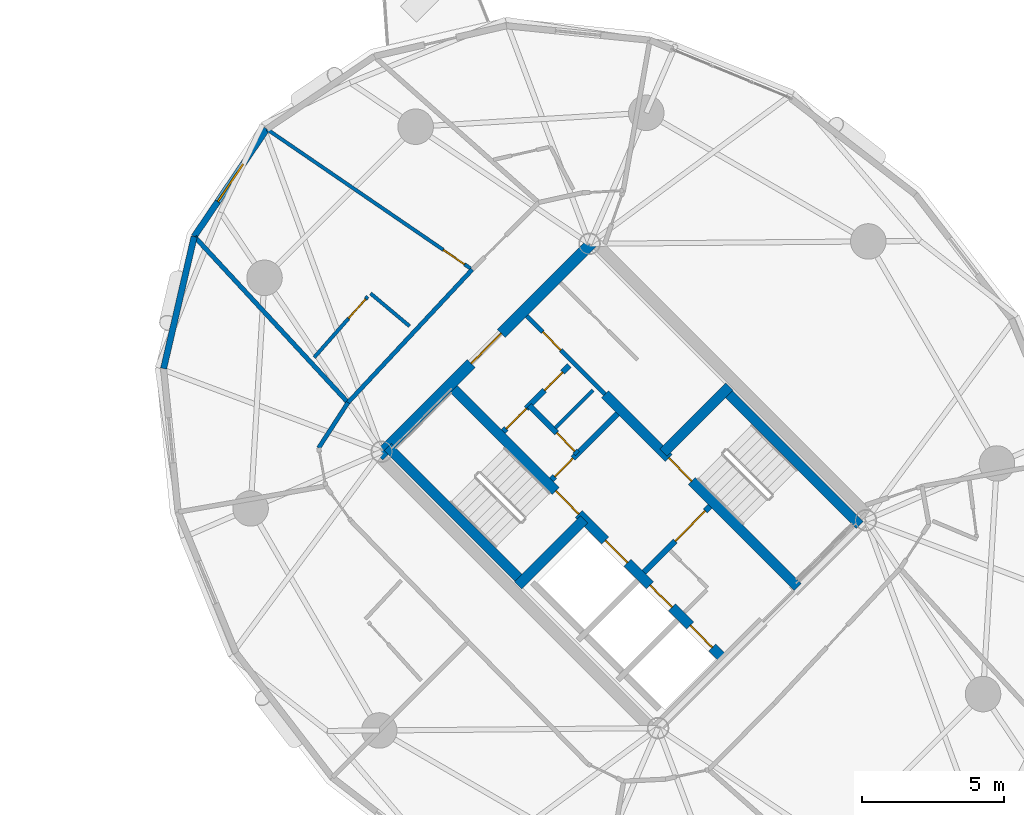
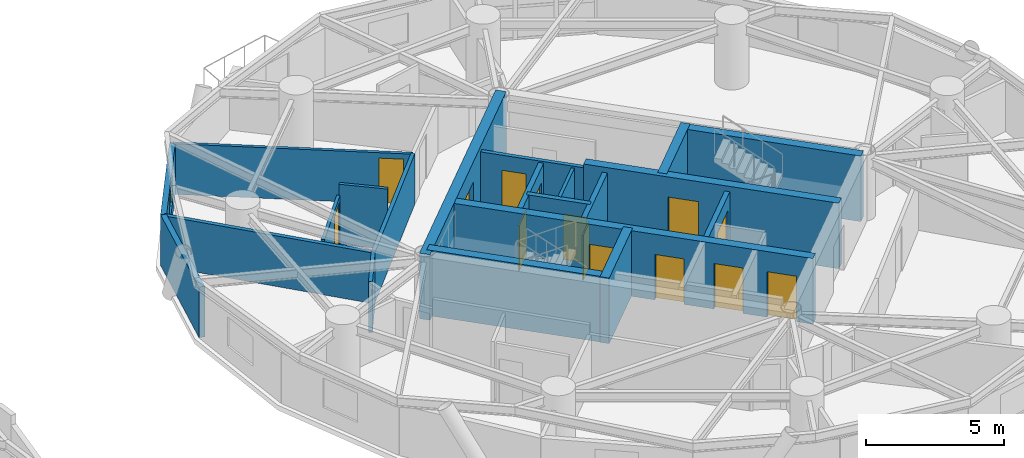
# One storey, part 12 of 17: 21 walls, 14 doors, 1 window, 15 openings.
"""IFC4 building model written with IfcOpenShell, lengths in metres."""

from ifc_helpers import new_model, si_unit, direction, frame, frame_2d, origin, place, context, subcontext, project, spatial, rectangle, extrude, source, transform, mapped, material, layer, layer_set, type_object, element, fill, save


model = new_model("IFC4")

# Units and contexts
model_context = context("Model", 3, precision=1e-05, world=origin(), true_north=direction((0.0, 1.0)))
body_context = subcontext(model_context, "Body", "Model", "MODEL_VIEW")
ifc_project = project(units=[si_unit("LENGTHUNIT", "METRE"), si_unit("AREAUNIT", "SQUARE_METRE"), si_unit("VOLUMEUNIT", "CUBIC_METRE"), si_unit("PLANEANGLEUNIT", "RADIAN"), si_unit("MASSUNIT", "GRAM", prefix="KILO")], contexts=[model_context])

# Site, building, storey
site_placement = place(None, origin())
site = spatial("IfcSite", under=ifc_project, at=site_placement, CompositionType="ELEMENT")
building_placement = place(site_placement, origin())
building = spatial("IfcBuilding", under=site, at=building_placement, Name="Cununo Teusaquillo Station Towers", CompositionType="ELEMENT")
storey_placement = place(building_placement, frame((0.0, 0.0, 154.510009765625)))
storey = spatial("IfcBuildingStorey", under=building, at=storey_placement, Name="L48", CompositionType="ELEMENT", Elevation=154.510009765625)

# Wall, openings, doors
ifc_material_1 = material(Name="Concrete C50/60", Category="concrete")
ifc_layer_1 = layer(ifc_material_1, 0.35009765625)
ifc_layer_set_1 = layer_set([ifc_layer_1], Name="Concrete C50/60")
wall_type_1 = type_object("IfcWallType", Name="WL-CORE-350", PredefinedType="SHEAR", material=ifc_layer_set_1)
wall_1_placement = place(storey_placement, frame((61.060302734375, 18.372802734375, 0.0), z_axis=(0.0, 0.0, 1.0), x_axis=(-0.707106781187, 0.707106781187, 0.0)))
wall_1 = element("IfcWall", 1, at=wall_1_placement, inside=storey, type_object=wall_type_1, Name="L48 Tower B Core Shear Wall IW", PredefinedType="SHEAR", context=body_context, shape_type="SweptSolid", body=[
    extrude(rectangle(XDim=13.7001953125, YDim=0.35009765625, at=frame_2d((6.85009765625, 0.0))), origin(), (0.0, 0.0, 1.0), 2.909912109375),
])
shared_shape_1 = source(origin(), body_context, "Body", "SweptSolid", [
    extrude(rectangle(XDim=1.10009765625, YDim=2.014892578125, at=frame_2d((0.550048828125, 1.00732421875))), frame((0.0, 0.18505859375, 0.0), z_axis=(0.0, -1.0, 0.0), x_axis=(1.0, 0.0, 0.0)), (0.0, 0.0, 1.0), 0.3701171875),
])
opening_1_placement = place(wall_1_placement, frame((4.85009765625, 0.0, 0.0)))
opening_1 = element("IfcOpeningElement", 2, at=opening_1_placement, cuts=wall_1, Name="Opening LD-01", PredefinedType="OPENING", context=body_context, shape_type="MappedRepresentation", body=[
    mapped(shared_shape_1, transform((0.0, 0.0, 0.0), x_axis=(1.0, 0.0, 0.0), y_axis=(0.0, 1.0, 0.0), z_axis=(0.0, 0.0, 1.0), scale=1.0)),
])
opening_2_placement = place(wall_1_placement, frame((0.625, 0.0, 0.0)))
opening_2 = element("IfcOpeningElement", 3, at=opening_2_placement, cuts=wall_1, Name="Opening LD-01", PredefinedType="OPENING", context=body_context, shape_type="MappedRepresentation", body=[
    mapped(shared_shape_1, transform((0.0, 0.0, 0.0), x_axis=(1.0, 0.0, 0.0), y_axis=(0.0, 1.0, 0.0), z_axis=(0.0, 0.0, 1.0), scale=1.0)),
])
opening_3_placement = place(wall_1_placement, frame((2.625, 0.0, 0.0)))
opening_3 = element("IfcOpeningElement", 4, at=opening_3_placement, cuts=wall_1, Name="Opening LD-01", PredefinedType="OPENING", context=body_context, shape_type="MappedRepresentation", body=[
    mapped(shared_shape_1, transform((0.0, 0.0, 0.0), x_axis=(1.0, 0.0, 0.0), y_axis=(0.0, 1.0, 0.0), z_axis=(0.0, 0.0, 1.0), scale=1.0)),
])
shared_shape_2 = source(origin(), body_context, "Body", "SweptSolid", [
    extrude(rectangle(XDim=1.14990234375, YDim=2.02001953125, at=frame_2d((0.574951171875, 1.010009765625))), frame((0.0, 0.18505859375, 0.0), z_axis=(0.0, -1.0, 0.0), x_axis=(1.0, 0.0, 0.0)), (0.0, 0.0, 1.0), 0.3701171875),
])
opening_4_placement = place(wall_1_placement, frame((7.27001953125, 0.0, 0.0)))
opening_4 = element("IfcOpeningElement", 5, at=opening_4_placement, cuts=wall_1, Name="Opening D-ST1", PredefinedType="OPENING", context=body_context, shape_type="MappedRepresentation", body=[
    mapped(shared_shape_2, transform((0.0, 0.0, 0.0), x_axis=(1.0, 0.0, 0.0), y_axis=(0.0, 1.0, 0.0), z_axis=(0.0, 0.0, 1.0), scale=1.0)),
])
ifc_material_2 = material(Name="Galvanised fire-rated hollow steel door assembly", Category="steel")
door_type_1 = type_object("IfcDoorType", Name="DR-LIFT-1100", OperationType="SLIDING_TO_LEFT", PredefinedType="DOOR", material=ifc_material_2)
shared_shape_3 = source(origin(), body_context, "Body", "SweptSolid", [
    extrude(rectangle(XDim=1.10009765625, YDim=2.014892578125, at=frame_2d((0.550048828125, 1.00732421875))), frame((0.0, 0.02490234375, 0.0), z_axis=(0.0, -1.0, 0.0), x_axis=(1.0, 0.0, 0.0)), (0.0, 0.0, 1.0), 0.050048828125),
])
door_1_placement = place(opening_1_placement, origin())
door_1 = element("IfcDoor", 6, at=door_1_placement, inside=storey, type_object=door_type_1, Name="L48 Lift FL-T2 Sliding Landing Door", OperationType="SLIDING_TO_RIGHT", OverallHeight=2.014892578125, OverallWidth=1.10009765625, PredefinedType="DOOR", context=body_context, shape_type="MappedRepresentation", body=[
    mapped(shared_shape_3, transform((0.0, 0.0, 0.0), x_axis=(1.0, 0.0, 0.0), y_axis=(0.0, 1.0, 0.0), z_axis=(0.0, 0.0, 1.0), scale=1.0)),
])
fill(opening_1, door_1)
door_2_placement = place(opening_2_placement, origin())
door_2 = element("IfcDoor", 7, at=door_2_placement, inside=storey, type_object=door_type_1, Name="L48 Lift PL-T2-H1 Sliding Landing Door", OperationType="SLIDING_TO_LEFT", OverallHeight=2.014892578125, OverallWidth=1.10009765625, PredefinedType="DOOR", context=body_context, shape_type="MappedRepresentation", body=[
    mapped(shared_shape_3, transform((0.0, 0.0, 0.0), x_axis=(1.0, 0.0, 0.0), y_axis=(0.0, 1.0, 0.0), z_axis=(0.0, 0.0, 1.0), scale=1.0)),
])
fill(opening_2, door_2)
door_3_placement = place(opening_3_placement, origin())
door_3 = element("IfcDoor", 8, at=door_3_placement, inside=storey, type_object=door_type_1, Name="L48 Lift PL-T2-H2 Sliding Landing Door", OperationType="SLIDING_TO_RIGHT", OverallHeight=2.014892578125, OverallWidth=1.10009765625, PredefinedType="DOOR", context=body_context, shape_type="MappedRepresentation", body=[
    mapped(shared_shape_3, transform((0.0, 0.0, 0.0), x_axis=(1.0, 0.0, 0.0), y_axis=(0.0, 1.0, 0.0), z_axis=(0.0, 0.0, 1.0), scale=1.0)),
])
fill(opening_3, door_3)
ifc_material_3 = material(Name="Galvanised fire-rated hollow steel door assembly", Category="steel")
door_type_2 = type_object("IfcDoorType", Name="DR-STAIR-1150", OperationType="NOTDEFINED", PredefinedType="DOOR", material=ifc_material_3)
shared_shape_4 = source(origin(), body_context, "Body", "SweptSolid", [
    extrude(rectangle(XDim=1.14990234375, YDim=2.02001953125, at=frame_2d((0.574951171875, 1.010009765625))), frame((0.0, 0.02490234375, 0.0), z_axis=(0.0, -1.0, 0.0), x_axis=(1.0, 0.0, 0.0)), (0.0, 0.0, 1.0), 0.050048828125),
])
door_4_placement = place(opening_4_placement, origin())
door_4 = element("IfcDoor", 9, at=door_4_placement, inside=storey, type_object=door_type_2, Name="L48 Tower B Exit Stair 1 Fire Door", OperationType="SINGLE_SWING_RIGHT", OverallHeight=2.02001953125, OverallWidth=1.14990234375, PredefinedType="DOOR", context=body_context, shape_type="MappedRepresentation", body=[
    mapped(shared_shape_4, transform((0.0, 0.0, 0.0), x_axis=(1.0, 0.0, 0.0), y_axis=(0.0, 1.0, 0.0), z_axis=(0.0, 0.0, 1.0), scale=1.0)),
])
fill(opening_4, door_4)

# Wall, opening, door
wall_2_placement = place(storey_placement, frame((63.627197265625, 20.939697265625, 0.0), z_axis=(0.0, 0.0, 1.0), x_axis=(-0.707119496762, 0.707094065383, 0.0)))
wall_2 = element("IfcWall", 10, at=wall_2_placement, inside=storey, type_object=wall_type_1, Name="L48 Tower B Core Shear Wall IE", PredefinedType="SHEAR", context=body_context, shape_type="SweptSolid", body=[
    extrude(rectangle(XDim=9.60009765625, YDim=0.35009765625, at=frame_2d((4.800048828125, 0.0))), origin(), (0.0, 0.0, 1.0), 2.909912109375),
])
opening_5_placement = place(wall_2_placement, frame((5.280029296875, 0.0, 0.0)))
opening_5 = element("IfcOpeningElement", 11, at=opening_5_placement, cuts=wall_2, Name="Opening D-ST1", PredefinedType="OPENING", context=body_context, shape_type="MappedRepresentation", body=[
    mapped(shared_shape_2, transform((0.0, 0.0, 0.0), x_axis=(1.0, 0.0, 0.0), y_axis=(0.0, 1.0, 0.0), z_axis=(0.0, 0.0, 1.0), scale=1.0)),
])
door_5_placement = place(opening_5_placement, origin())
door_5 = element("IfcDoor", 12, at=door_5_placement, inside=storey, type_object=door_type_2, Name="L48 Tower B Exit Stair 2 Fire Door", OperationType="SINGLE_SWING_LEFT", OverallHeight=2.02001953125, OverallWidth=1.14990234375, PredefinedType="DOOR", context=body_context, shape_type="MappedRepresentation", body=[
    mapped(shared_shape_4, transform((0.0, 0.0, 0.0), x_axis=(1.0, 0.0, 0.0), y_axis=(0.0, 1.0, 0.0), z_axis=(0.0, 0.0, 1.0), scale=1.0)),
])
fill(opening_5, door_5)

# Walls
wall_3_placement = place(storey_placement, frame((53.922119140625, 21.14111328125, 0.0), z_axis=(0.0, 0.0, 1.0), x_axis=(-0.707106781187, 0.707106781187, 0.0)))
element("IfcWall", 13, at=wall_3_placement, inside=storey, type_object=wall_type_1, Name="L48 Tower B Core Shear Wall ST1W", PredefinedType="SHEAR", context=body_context, shape_type="SweptSolid", body=[
    extrude(rectangle(XDim=6.695068359375, YDim=0.35009765625, at=frame_2d((3.34765625, 0.0))), origin(), (0.0, 0.0, 1.0), 2.909912109375),
])
wall_4_placement = place(storey_placement, frame((53.7841796875, 21.00341796875, 0.0), z_axis=(0.0, 0.0, 1.0), x_axis=(0.707106781187, 0.707106781187, 0.0)))
element("IfcWall", 14, at=wall_4_placement, inside=storey, type_object=wall_type_1, Name="L48 Tower B Core Shear Wall ST1S", PredefinedType="SHEAR", context=body_context, shape_type="SweptSolid", body=[
    extrude(rectangle(XDim=3.284912109375, YDim=0.35009765625, at=frame_2d((1.642578125, 0.0))), origin(), (0.0, 0.0, 1.0), 2.909912109375),
])
wall_5_placement = place(storey_placement, frame((65.81201171875, 23.124755859375, 0.0), z_axis=(0.0, 0.0, 1.0), x_axis=(-0.707106781187, 0.707106781187, 0.0)))
element("IfcWall", 15, at=wall_5_placement, inside=storey, type_object=wall_type_1, Name="L48 Tower B Core Shear Wall ST2E", PredefinedType="SHEAR", context=body_context, shape_type="SweptSolid", body=[
    extrude(rectangle(XDim=6.695068359375, YDim=0.35009765625, at=frame_2d((3.34765625, 0.0))), origin(), (0.0, 0.0, 1.0), 2.909912109375),
])
wall_6_placement = place(storey_placement, frame((58.89306640625, 25.673828125, 0.0), z_axis=(0.0, 0.0, 1.0), x_axis=(0.707106781187, 0.707106781187, 0.0)))
element("IfcWall", 16, at=wall_6_placement, inside=storey, type_object=wall_type_1, Name="L48 Tower B Core Shear Wall ST2N", PredefinedType="SHEAR", context=body_context, shape_type="SweptSolid", body=[
    extrude(rectangle(XDim=3.284912109375, YDim=0.35009765625, at=frame_2d((1.642578125, 0.0))), origin(), (0.0, 0.0, 1.0), 2.909912109375),
])

# Wall, opening, door
ifc_material_4 = material(Name="Concrete C50/60", Category="concrete")
ifc_layer_2 = layer(ifc_material_4, 0.39990234375)
ifc_layer_set_2 = layer_set([ifc_layer_2], Name="Concrete C50/60")
wall_type_2 = type_object("IfcWallType", Name="WL-CORE-400", PredefinedType="SHEAR", material=ifc_layer_set_2)
wall_7_placement = place(storey_placement, frame((48.873291015625, 25.560791015625, 0.0), z_axis=(0.0, 0.0, 1.0), x_axis=(0.707106781187, 0.707106781187, 0.0)))
wall_7 = element("IfcWall", 17, at=wall_7_placement, inside=storey, type_object=wall_type_2, Name="L48 Tower B Core Shear Wall N", PredefinedType="SHEAR", context=body_context, shape_type="SweptSolid", body=[
    extrude(rectangle(XDim=10.69970703125, YDim=0.39990234375, at=frame_2d((5.349853515625, 0.0))), origin(), (0.0, 0.0, 1.0), 2.909912109375),
])
shared_shape_5 = source(origin(), body_context, "Body", "SweptSolid", [
    extrude(rectangle(XDim=1.5, YDim=2.02001953125, at=frame_2d((0.75, 1.010009765625))), frame((0.0, 0.2099609375, 0.0), z_axis=(0.0, -1.0, 0.0), x_axis=(1.0, 0.0, 0.0)), (0.0, 0.0, 1.0), 0.419921875),
])
opening_6_placement = place(wall_7_placement, frame((4.60009765625, 0.0, 0.0)))
opening_6 = element("IfcOpeningElement", 18, at=opening_6_placement, cuts=wall_7, Name="Opening D-LB1", PredefinedType="OPENING", context=body_context, shape_type="MappedRepresentation", body=[
    mapped(shared_shape_5, transform((0.0, 0.0, 0.0), x_axis=(1.0, 0.0, 0.0), y_axis=(0.0, 1.0, 0.0), z_axis=(0.0, 0.0, 1.0), scale=1.0)),
])
ifc_material_5 = material(Name="Galvanised fire-rated hollow steel door assembly", Category="steel")
door_type_3 = type_object("IfcDoorType", Name="DR-LOBBY-1500", OperationType="DOUBLE_DOOR_SINGLE_SWING", PredefinedType="DOOR", material=ifc_material_5)
shared_shape_6 = source(origin(), body_context, "Body", "SweptSolid", [
    extrude(rectangle(XDim=1.5, YDim=2.02001953125, at=frame_2d((0.75, 1.010009765625))), frame((0.0, 0.02490234375, 0.0), z_axis=(0.0, -1.0, 0.0), x_axis=(1.0, 0.0, 0.0)), (0.0, 0.0, 1.0), 0.050048828125),
])
door_6_placement = place(opening_6_placement, origin())
door_6 = element("IfcDoor", 19, at=door_6_placement, inside=storey, type_object=door_type_3, Name="L48 Tower B North Core Lift Lobby Door", OperationType="DOUBLE_DOOR_SINGLE_SWING", OverallHeight=2.02001953125, OverallWidth=1.5, PredefinedType="DOOR", context=body_context, shape_type="MappedRepresentation", body=[
    mapped(shared_shape_6, transform((0.0, 0.0, 0.0), x_axis=(1.0, 0.0, 0.0), y_axis=(0.0, 1.0, 0.0), z_axis=(0.0, 0.0, 1.0), scale=1.0)),
])
fill(opening_6, door_6)

# Wall, opening, window
ifc_material_6 = material(Name="Precast concrete C40/50", Category="concrete")
ifc_layer_3 = layer(ifc_material_6, 0.219970703125)
ifc_layer_set_3 = layer_set([ifc_layer_3], Name="Precast concrete C40/50")
wall_type_3 = type_object("IfcWallType", Name="WL-EXT-220", PredefinedType="SOLIDWALL", material=ifc_layer_set_3)
wall_8_placement = place(storey_placement, frame((42.3779296875, 33.27880859375, 0.0), z_axis=(0.0, 0.0, 1.0), x_axis=(0.559635286042, 0.828739009952, 0.0)))
wall_8 = element("IfcWall", 20, at=wall_8_placement, inside=storey, type_object=wall_type_3, Name="L48 Tower B Exterior Facade Wall C05", PredefinedType="SOLIDWALL", context=body_context, shape_type="SweptSolid", body=[
    extrude(rectangle(XDim=4.56884765625, YDim=0.219970703125, at=frame_2d((2.284423828125, 0.0))), origin(), (0.0, 0.0, 1.0), 2.244873046875),
])
shared_shape_7 = source(origin(), body_context, "Body", "SweptSolid", [
    extrude(rectangle(XDim=1.60009765625, YDim=1.300048828125, at=frame_2d((0.800048828125, 0.64990234375))), frame((0.0, 0.119873046875, 0.0), z_axis=(0.0, -1.0, 0.0), x_axis=(1.0, 0.0, 0.0)), (0.0, 0.0, 1.0), 0.239990234375),
])
opening_7_placement = place(wall_8_placement, frame((1.48388671875, 0.0, 0.64990234375)))
opening_7 = element("IfcOpeningElement", 21, at=opening_7_placement, cuts=wall_8, Name="Opening WN-03", PredefinedType="OPENING", context=body_context, shape_type="MappedRepresentation", body=[
    mapped(shared_shape_7, transform((0.0, 0.0, 0.0), x_axis=(1.0, 0.0, 0.0), y_axis=(0.0, 1.0, 0.0), z_axis=(0.0, 0.0, 1.0), scale=1.0)),
])
ifc_material_7 = material(Name="Ceramic-fritted dark low-E double glazing", Category="glass")
window_type = type_object("IfcWindowType", Name="WIN-CORN-1600", PartitioningType="SINGLE_PANEL", PredefinedType="WINDOW", material=ifc_material_7)
shared_shape_8 = source(origin(), body_context, "Body", "SweptSolid", [
    extrude(rectangle(XDim=1.60009765625, YDim=1.300048828125, at=frame_2d((0.800048828125, 0.64990234375))), frame((0.0, 0.030029296875, 0.0), z_axis=(0.0, -1.0, 0.0), x_axis=(1.0, 0.0, 0.0)), (0.0, 0.0, 1.0), 0.06005859375),
])
window_placement = place(opening_7_placement, origin())
window = element("IfcWindow", 22, at=window_placement, inside=storey, type_object=window_type, Name="L48 Tower B Facade Window C05", OverallHeight=1.300048828125, OverallWidth=1.60009765625, PartitioningType="SINGLE_PANEL", PredefinedType="WINDOW", context=body_context, shape_type="MappedRepresentation", body=[
    mapped(shared_shape_8, transform((0.0, 0.0, 0.0), x_axis=(1.0, 0.0, 0.0), y_axis=(0.0, 1.0, 0.0), z_axis=(0.0, 0.0, 1.0), scale=1.0)),
])
fill(opening_7, window)

# Walls
wall_9_placement = place(storey_placement, frame((41.3017578125, 28.6328125, 0.0), z_axis=(0.0, 0.0, 1.0), x_axis=(0.225659540039, 0.974206226622, 0.0)))
element("IfcWall", 23, at=wall_9_placement, inside=storey, type_object=wall_type_3, Name="L48 Tower B Exterior Facade Wall C06", PredefinedType="SOLIDWALL", context=body_context, shape_type="SweptSolid", body=[
    extrude(rectangle(XDim=4.76904296875, YDim=0.219970703125, at=frame_2d((2.384521484375, 0.0))), origin(), (0.0, 0.0, 1.0), 2.244873046875),
])
ifc_material_8 = material(Name="Fire-rated gypsum plasterboard partition assembly", Category="gypsum")
ifc_layer_4 = layer(ifc_material_8, 0.125)
ifc_layer_set_4 = layer_set([ifc_layer_4], Name="Fire-rated gypsum plasterboard partition assembly")
wall_type_4 = type_object("IfcWallType", Name="WL-PART-125", PredefinedType="PARTITIONING", material=ifc_layer_set_4)
wall_10_placement = place(storey_placement, frame((55.0888671875, 26.54345703125, 0.0), z_axis=(0.0, 0.0, 1.0), x_axis=(0.707106781187, 0.707106781187, 0.0)))
element("IfcWall", 24, at=wall_10_placement, inside=storey, type_object=wall_type_4, Name="L48 Tower B Core Horizontal Split Wall", PredefinedType="PARTITIONING", context=body_context, shape_type="SweptSolid", body=[
    extrude(rectangle(XDim=1.8798828125, YDim=0.125, at=frame_2d((0.93994140625, 0.0))), origin(), (0.0, 0.0, 1.0), 2.675048828125),
])

# Wall, opening, door
wall_11_placement = place(storey_placement, frame((52.163330078125, 32.11669921875, 0.0), z_axis=(0.0, 0.0, 1.0), x_axis=(-0.825403853282, 0.564542716707, 0.0)))
wall_11 = element("IfcWall", 25, at=wall_11_placement, inside=storey, type_object=wall_type_4, Name="L48 Tower B Cloud-Forest Hotel Suite Suite Subdividing Wall", PredefinedType="PARTITIONING", context=body_context, shape_type="SweptSolid", body=[
    extrude(rectangle(XDim=8.740478515625, YDim=0.125, at=frame_2d((4.3701171875, 0.0))), origin(), (0.0, 0.0, 1.0), 2.244873046875),
])
shared_shape_9 = source(origin(), body_context, "Body", "SweptSolid", [
    extrude(rectangle(XDim=0.89990234375, YDim=2.0048828125, at=frame_2d((0.449951171875, 1.00244140625))), frame((0.0, 0.072509765625, 0.0), z_axis=(0.0, -1.0, 0.0), x_axis=(1.0, 0.0, 0.0)), (0.0, 0.0, 1.0), 0.14501953125),
])
opening_8_placement = place(wall_11_placement, frame((0.330078125, 0.0, 0.0)))
opening_8 = element("IfcOpeningElement", 26, at=opening_8_placement, cuts=wall_11, Name="Opening D-IN1", PredefinedType="OPENING", context=body_context, shape_type="MappedRepresentation", body=[
    mapped(shared_shape_9, transform((0.0, 0.0, 0.0), x_axis=(1.0, 0.0, 0.0), y_axis=(0.0, 1.0, 0.0), z_axis=(0.0, 0.0, 1.0), scale=1.0)),
])
ifc_material_9 = material(Name="Acoustic solid-core hardwood leaf assembly", Category="wood")
door_type_4 = type_object("IfcDoorType", Name="DR-INT-900", OperationType="NOTDEFINED", PredefinedType="DOOR", material=ifc_material_9)
shared_shape_10 = source(origin(), body_context, "Body", "SweptSolid", [
    extrude(rectangle(XDim=0.89990234375, YDim=2.0048828125, at=frame_2d((0.449951171875, 1.00244140625))), frame((0.0, 0.02490234375, 0.0), z_axis=(0.0, -1.0, 0.0), x_axis=(1.0, 0.0, 0.0)), (0.0, 0.0, 1.0), 0.050048828125),
])
door_7_placement = place(opening_8_placement, origin())
door_7 = element("IfcDoor", 27, at=door_7_placement, inside=storey, type_object=door_type_4, Name="L48 Tower B Cloud-Forest Hotel Suite Suite Connecting Door", OperationType="SINGLE_SWING_RIGHT", OverallHeight=2.0048828125, OverallWidth=0.89990234375, PredefinedType="DOOR", context=body_context, shape_type="MappedRepresentation", body=[
    mapped(shared_shape_10, transform((0.0, 0.0, 0.0), x_axis=(1.0, 0.0, 0.0), y_axis=(0.0, 1.0, 0.0), z_axis=(0.0, 0.0, 1.0), scale=1.0)),
])
fill(opening_8, door_7)

# Wall
wall_12_placement = place(storey_placement, frame((49.961181640625, 30.1240234375, 0.0), z_axis=(0.0, 0.0, 1.0), x_axis=(-0.766210982885, 0.64258908309, 0.0)))
element("IfcWall", 28, at=wall_12_placement, inside=storey, type_object=wall_type_4, Name="L48 Tower B S02 En-suite Side Wall", PredefinedType="PARTITIONING", context=body_context, shape_type="SweptSolid", body=[
    extrude(rectangle(XDim=1.795166015625, YDim=0.125, at=frame_2d((0.8974609375, 0.0))), origin(), (0.0, 0.0, 1.0), 2.675048828125),
])

# Wall, opening, door
wall_13_placement = place(storey_placement, frame((48.487548828125, 31.166015625, 0.0), z_axis=(0.0, 0.0, 1.0), x_axis=(-0.660635615229, -0.750706722956, 0.0)))
wall_13 = element("IfcWall", 29, at=wall_13_placement, inside=storey, type_object=wall_type_4, Name="L48 Tower B S02 En-suite Back Wall", PredefinedType="PARTITIONING", context=body_context, shape_type="SweptSolid", body=[
    extrude(rectangle(XDim=2.8515625, YDim=0.125, at=frame_2d((1.42578125, 0.0))), origin(), (0.0, 0.0, 1.0), 2.244873046875),
])
opening_9_placement = place(wall_13_placement, frame((0.1201171875, 0.0, 0.0)))
opening_9 = element("IfcOpeningElement", 30, at=opening_9_placement, cuts=wall_13, Name="Opening D-IN1", PredefinedType="OPENING", context=body_context, shape_type="MappedRepresentation", body=[
    mapped(shared_shape_9, transform((0.0, 0.0, 0.0), x_axis=(1.0, 0.0, 0.0), y_axis=(0.0, 1.0, 0.0), z_axis=(0.0, 0.0, 1.0), scale=1.0)),
])
door_8_placement = place(opening_9_placement, origin())
door_8 = element("IfcDoor", 31, at=door_8_placement, inside=storey, type_object=door_type_4, Name="L48 Tower B S02 En-suite Bathroom Door", OperationType="SINGLE_SWING_LEFT", OverallHeight=2.0048828125, OverallWidth=0.89990234375, PredefinedType="DOOR", context=body_context, shape_type="MappedRepresentation", body=[
    mapped(shared_shape_10, transform((0.0, 0.0, 0.0), x_axis=(1.0, 0.0, 0.0), y_axis=(0.0, 1.0, 0.0), z_axis=(0.0, 0.0, 1.0), scale=1.0)),
])
fill(opening_9, door_8)

# Walls
ifc_material_10 = material(Name="Fire-rated gypsum plasterboard partition assembly", Category="gypsum")
ifc_layer_5 = layer(ifc_material_10, 0.14990234375)
ifc_layer_set_5 = layer_set([ifc_layer_5], Name="Fire-rated gypsum plasterboard partition assembly")
wall_type_5 = type_object("IfcWallType", Name="WL-PART-150", PredefinedType="PARTITIONING", material=ifc_layer_set_5)
wall_14_placement = place(storey_placement, frame((52.163330078125, 32.11669921875, 0.0), z_axis=(0.0, 0.0, 1.0), x_axis=(-0.682485296115, -0.730899323154, 0.0)))
element("IfcWall", 32, at=wall_14_placement, inside=storey, type_object=wall_type_5, Name="L48 Tower B Corridor Ring Wall C05", PredefinedType="PARTITIONING", context=body_context, shape_type="SweptSolid", body=[
    extrude(rectangle(XDim=6.404296875, YDim=0.14990234375, at=frame_2d((3.2021484375, 0.0))), origin(), (0.0, 0.0, 1.0), 2.244873046875),
])
wall_15_placement = place(storey_placement, frame((47.79248046875, 27.435791015625, 0.0), z_axis=(0.0, 0.0, 1.0), x_axis=(-0.543086162542, -0.839676973637, 0.0)))
element("IfcWall", 33, at=wall_15_placement, inside=storey, type_object=wall_type_5, Name="L48 Tower B Corridor Ring Wall C06", PredefinedType="PARTITIONING", context=body_context, shape_type="SweptSolid", body=[
    extrude(rectangle(XDim=1.900634765625, YDim=0.14990234375, at=frame_2d((0.9501953125, 0.0))), origin(), (0.0, 0.0, 1.0), 2.244873046875),
])

# Wall, opening, door
ifc_material_11 = material(Name="Fire-rated gypsum plasterboard partition assembly", Category="gypsum")
ifc_layer_6 = layer(ifc_material_11, 0.159912109375)
ifc_layer_set_6 = layer_set([ifc_layer_6], Name="Fire-rated gypsum plasterboard partition assembly")
wall_type_6 = type_object("IfcWallType", Name="WL-PART-160", PredefinedType="PARTITIONING", material=ifc_layer_set_6)
wall_16_placement = place(storey_placement, frame((56.8388671875, 27.727783203125, 0.0), z_axis=(0.0, 0.0, 1.0), x_axis=(-0.707106781187, 0.707106781187, 0.0)))
wall_16 = element("IfcWall", 34, at=wall_16_placement, inside=storey, type_object=wall_type_6, Name="L48 Tower B Reclaimed Core Bay Entry Wall", PredefinedType="PARTITIONING", context=body_context, shape_type="SweptSolid", body=[
    extrude(rectangle(XDim=3.900146484375, YDim=0.159912109375, at=frame_2d((1.9501953125, 0.0))), origin(), (0.0, 0.0, 1.0), 2.675048828125),
])
shared_shape_11 = source(origin(), body_context, "Body", "SweptSolid", [
    extrude(rectangle(XDim=0.89990234375, YDim=2.0048828125, at=frame_2d((0.449951171875, 1.00244140625))), frame((0.0, 0.08984375, 0.0), z_axis=(0.0, -1.0, 0.0), x_axis=(1.0, 0.0, 0.0)), (0.0, 0.0, 1.0), 0.179931640625),
])
opening_10_placement = place(wall_16_placement, frame((2.199951171875, 0.0, 0.0)))
opening_10 = element("IfcOpeningElement", 35, at=opening_10_placement, cuts=wall_16, Name="Opening D-IN1", PredefinedType="OPENING", context=body_context, shape_type="MappedRepresentation", body=[
    mapped(shared_shape_11, transform((0.0, 0.0, 0.0), x_axis=(1.0, 0.0, 0.0), y_axis=(0.0, 1.0, 0.0), z_axis=(0.0, 0.0, 1.0), scale=1.0)),
])
door_9_placement = place(opening_10_placement, origin())
door_9 = element("IfcDoor", 36, at=door_9_placement, inside=storey, type_object=door_type_4, Name="L48 Tower B Reclaimed Meeting Room Door", OperationType="SINGLE_SWING_LEFT", OverallHeight=2.0048828125, OverallWidth=0.89990234375, PredefinedType="DOOR", context=body_context, shape_type="MappedRepresentation", body=[
    mapped(shared_shape_10, transform((0.0, 0.0, 0.0), x_axis=(1.0, 0.0, 0.0), y_axis=(0.0, 1.0, 0.0), z_axis=(0.0, 0.0, 1.0), scale=1.0)),
])
fill(opening_10, door_9)

# Wall
wall_17_placement = place(storey_placement, frame((47.79248046875, 27.435791015625, 0.0), z_axis=(0.0, 0.0, 1.0), x_axis=(-0.679077160958, 0.734066897132, 0.0)))
element("IfcWall", 37, at=wall_17_placement, inside=storey, type_object=wall_type_6, Name="L48 Tower B Radial Suite Partition R03", PredefinedType="PARTITIONING", context=body_context, shape_type="SweptSolid", body=[
    extrude(rectangle(XDim=7.947265625, YDim=0.159912109375, at=frame_2d((3.9736328125, 0.0))), origin(), (0.0, 0.0, 1.0), 2.244873046875),
])

# Wall, opening, door
ifc_material_12 = material(Name="Fire-rated gypsum plasterboard partition assembly", Category="gypsum")
ifc_layer_7 = layer(ifc_material_12, 0.199951171875)
ifc_layer_set_7 = layer_set([ifc_layer_7], Name="Fire-rated gypsum plasterboard partition assembly")
wall_type_7 = type_object("IfcWallType", Name="WL-PART-200", PredefinedType="PARTITIONING", material=ifc_layer_set_7)
wall_18_placement = place(storey_placement, frame((58.214111328125, 21.466552734375, 0.0), z_axis=(0.0, 0.0, 1.0), x_axis=(0.707106781187, 0.707106781187, 0.0)))
wall_18 = element("IfcWall", 38, at=wall_18_placement, inside=storey, type_object=wall_type_7, Name="L48 Tower B Firefighting Lift Lobby South Fire Wall", PredefinedType="PARTITIONING", context=body_context, shape_type="SweptSolid", body=[
    extrude(rectangle(XDim=3.280029296875, YDim=0.199951171875, at=frame_2d((1.64013671875, 0.0))), origin(), (0.0, 0.0, 1.0), 2.675048828125),
])
shared_shape_12 = source(origin(), body_context, "Body", "SweptSolid", [
    extrude(rectangle(XDim=1.5, YDim=2.02001953125, at=frame_2d((0.75, 1.010009765625))), frame((0.0, 0.10986328125, 0.0), z_axis=(0.0, -1.0, 0.0), x_axis=(1.0, 0.0, 0.0)), (0.0, 0.0, 1.0), 0.219970703125),
])
opening_11_placement = place(wall_18_placement, frame((1.550048828125, 0.0, 0.0)))
opening_11 = element("IfcOpeningElement", 39, at=opening_11_placement, cuts=wall_18, Name="Opening D-LB1", PredefinedType="OPENING", context=body_context, shape_type="MappedRepresentation", body=[
    mapped(shared_shape_12, transform((0.0, 0.0, 0.0), x_axis=(1.0, 0.0, 0.0), y_axis=(0.0, 1.0, 0.0), z_axis=(0.0, 0.0, 1.0), scale=1.0)),
])
door_10_placement = place(opening_11_placement, origin())
door_10 = element("IfcDoor", 40, at=door_10_placement, inside=storey, type_object=door_type_3, Name="L48 Tower B Firefighting Lift Lobby South Fire Door", OperationType="DOUBLE_DOOR_SINGLE_SWING", OverallHeight=2.02001953125, OverallWidth=1.5, PredefinedType="DOOR", context=body_context, shape_type="MappedRepresentation", body=[
    mapped(shared_shape_6, transform((0.0, 0.0, 0.0), x_axis=(1.0, 0.0, 0.0), y_axis=(0.0, 1.0, 0.0), z_axis=(0.0, 0.0, 1.0), scale=1.0)),
])
fill(opening_11, door_10)

wall_19_placement = place(storey_placement, frame((54.96142578125, 24.71923828125, 0.0), z_axis=(0.0, 0.0, 1.0), x_axis=(0.707106781187, 0.707106781187, 0.0)))
wall_19 = element("IfcWall", 41, at=wall_19_placement, inside=storey, type_object=wall_type_7, Name="L48 Tower B Firefighting Lift Lobby North Fire Wall", PredefinedType="PARTITIONING", context=body_context, shape_type="SweptSolid", body=[
    extrude(rectangle(XDim=3.280029296875, YDim=0.199951171875, at=frame_2d((1.64013671875, 0.0))), origin(), (0.0, 0.0, 1.0), 2.675048828125),
])
shared_shape_13 = source(origin(), body_context, "Body", "SweptSolid", [
    extrude(rectangle(XDim=0.89990234375, YDim=2.0048828125, at=frame_2d((0.449951171875, 1.00244140625))), frame((0.0, 0.10986328125, 0.0), z_axis=(0.0, -1.0, 0.0), x_axis=(1.0, 0.0, 0.0)), (0.0, 0.0, 1.0), 0.219970703125),
])
opening_12_placement = place(wall_19_placement, frame((0.159912109375, 0.0, 0.0)))
opening_12 = element("IfcOpeningElement", 42, at=opening_12_placement, cuts=wall_19, Name="Opening D-SR1", PredefinedType="OPENING", context=body_context, shape_type="MappedRepresentation", body=[
    mapped(shared_shape_13, transform((0.0, 0.0, 0.0), x_axis=(1.0, 0.0, 0.0), y_axis=(0.0, 1.0, 0.0), z_axis=(0.0, 0.0, 1.0), scale=1.0)),
])
ifc_material_13 = material(Name="Galvanised fire-rated hollow steel door assembly", Category="steel")
door_type_5 = type_object("IfcDoorType", Name="DR-STORE-900", OperationType="NOTDEFINED", PredefinedType="DOOR", material=ifc_material_13)
door_11_placement = place(opening_12_placement, origin())
door_11 = element("IfcDoor", 43, at=door_11_placement, inside=storey, type_object=door_type_5, Name="L48 Tower B Stair 1 Protected Vestibule South Door", OperationType="SINGLE_SWING_RIGHT", OverallHeight=2.0048828125, OverallWidth=0.89990234375, PredefinedType="DOOR", context=body_context, shape_type="MappedRepresentation", body=[
    mapped(shared_shape_10, transform((0.0, 0.0, 0.0), x_axis=(1.0, 0.0, 0.0), y_axis=(0.0, 1.0, 0.0), z_axis=(0.0, 0.0, 1.0), scale=1.0)),
])
fill(opening_12, door_11)

wall_20_placement = place(storey_placement, frame((55.873779296875, 25.63134765625, 0.0), z_axis=(0.0, 0.0, 1.0), x_axis=(-0.707157639372, 0.707055919343, 0.0)))
wall_20 = element("IfcWall", 44, at=wall_20_placement, inside=storey, type_object=wall_type_7, Name="L48 Tower B Stair 1 Vestibule Partition Wall", PredefinedType="PARTITIONING", context=body_context, shape_type="SweptSolid", body=[
    extrude(rectangle(XDim=2.400146484375, YDim=0.199951171875, at=frame_2d((1.2001953125, 0.0))), origin(), (0.0, 0.0, 1.0), 2.675048828125),
])
opening_13_placement = place(wall_20_placement, frame((0.139892578125, 0.0, 0.0)))
opening_13 = element("IfcOpeningElement", 45, at=opening_13_placement, cuts=wall_20, Name="Opening D-SR1", PredefinedType="OPENING", context=body_context, shape_type="MappedRepresentation", body=[
    mapped(shared_shape_13, transform((0.0, 0.0, 0.0), x_axis=(1.0, 0.0, 0.0), y_axis=(0.0, 1.0, 0.0), z_axis=(0.0, 0.0, 1.0), scale=1.0)),
])
door_12_placement = place(opening_13_placement, origin())
door_12 = element("IfcDoor", 46, at=door_12_placement, inside=storey, type_object=door_type_5, Name="L48 Tower B Core Linen Store Door", OperationType="SINGLE_SWING_LEFT", OverallHeight=2.0048828125, OverallWidth=0.89990234375, PredefinedType="DOOR", context=body_context, shape_type="MappedRepresentation", body=[
    mapped(shared_shape_10, transform((0.0, 0.0, 0.0), x_axis=(1.0, 0.0, 0.0), y_axis=(0.0, 1.0, 0.0), z_axis=(0.0, 0.0, 1.0), scale=1.0)),
])
fill(opening_13, door_12)

# Wall, openings, doors
wall_21_placement = place(storey_placement, frame((53.264404296875, 26.416259765625, 0.0), z_axis=(0.0, 0.0, 1.0), x_axis=(0.707106781187, 0.707106781187, 0.0)))
wall_21 = element("IfcWall", 47, at=wall_21_placement, inside=storey, type_object=wall_type_7, Name="L48 Tower B North Lift Lobby South Fire Wall", PredefinedType="PARTITIONING", context=body_context, shape_type="SweptSolid", body=[
    extrude(rectangle(XDim=3.280029296875, YDim=0.199951171875, at=frame_2d((1.64013671875, 0.0))), origin(), (0.0, 0.0, 1.0), 2.675048828125),
])
shared_shape_14 = source(origin(), body_context, "Body", "SweptSolid", [
    extrude(rectangle(XDim=1.0, YDim=2.014892578125, at=frame_2d((0.5, 1.00732421875))), frame((0.0, 0.10986328125, 0.0), z_axis=(0.0, -1.0, 0.0), x_axis=(1.0, 0.0, 0.0)), (0.0, 0.0, 1.0), 0.219970703125),
])
opening_14_placement = place(wall_21_placement, frame((0.139892578125, 0.0, 0.0)))
opening_14 = element("IfcOpeningElement", 48, at=opening_14_placement, cuts=wall_21, Name="Opening D-AC1", PredefinedType="OPENING", context=body_context, shape_type="MappedRepresentation", body=[
    mapped(shared_shape_14, transform((0.0, 0.0, 0.0), x_axis=(1.0, 0.0, 0.0), y_axis=(0.0, 1.0, 0.0), z_axis=(0.0, 0.0, 1.0), scale=1.0)),
])
opening_15_placement = place(wall_21_placement, frame((2.050048828125, 0.0, 0.0)))
opening_15 = element("IfcOpeningElement", 49, at=opening_15_placement, cuts=wall_21, Name="Opening D-SR1", PredefinedType="OPENING", context=body_context, shape_type="MappedRepresentation", body=[
    mapped(shared_shape_13, transform((0.0, 0.0, 0.0), x_axis=(1.0, 0.0, 0.0), y_axis=(0.0, 1.0, 0.0), z_axis=(0.0, 0.0, 1.0), scale=1.0)),
])
door_13_placement = place(opening_15_placement, origin())
door_13 = element("IfcDoor", 50, at=door_13_placement, inside=storey, type_object=door_type_5, Name="L48 Tower B Core Comms Room Door", OperationType="SINGLE_SWING_RIGHT", OverallHeight=2.0048828125, OverallWidth=0.89990234375, PredefinedType="DOOR", context=body_context, shape_type="MappedRepresentation", body=[
    mapped(shared_shape_10, transform((0.0, 0.0, 0.0), x_axis=(1.0, 0.0, 0.0), y_axis=(0.0, 1.0, 0.0), z_axis=(0.0, 0.0, 1.0), scale=1.0)),
])
fill(opening_15, door_13)
ifc_material_14 = material(Name="Acoustic solid-core hardwood leaf assembly", Category="wood")
door_type_6 = type_object("IfcDoorType", Name="DR-ACC-1000", OperationType="NOTDEFINED", PredefinedType="DOOR", material=ifc_material_14)
shared_shape_15 = source(origin(), body_context, "Body", "SweptSolid", [
    extrude(rectangle(XDim=1.0, YDim=2.014892578125, at=frame_2d((0.5, 1.00732421875))), frame((0.0, 0.02490234375, 0.0), z_axis=(0.0, -1.0, 0.0), x_axis=(1.0, 0.0, 0.0)), (0.0, 0.0, 1.0), 0.050048828125),
])
door_14_placement = place(opening_14_placement, origin())
door_14 = element("IfcDoor", 51, at=door_14_placement, inside=storey, type_object=door_type_6, Name="L48 Tower B North Lift Lobby to Stair 1 Vestibule Door", OperationType="SINGLE_SWING_LEFT", OverallHeight=2.014892578125, OverallWidth=1.0, PredefinedType="DOOR", context=body_context, shape_type="MappedRepresentation", body=[
    mapped(shared_shape_15, transform((0.0, 0.0, 0.0), x_axis=(1.0, 0.0, 0.0), y_axis=(0.0, 1.0, 0.0), z_axis=(0.0, 0.0, 1.0), scale=1.0)),
])
fill(opening_14, door_14)

save(model, "model.ifc")
